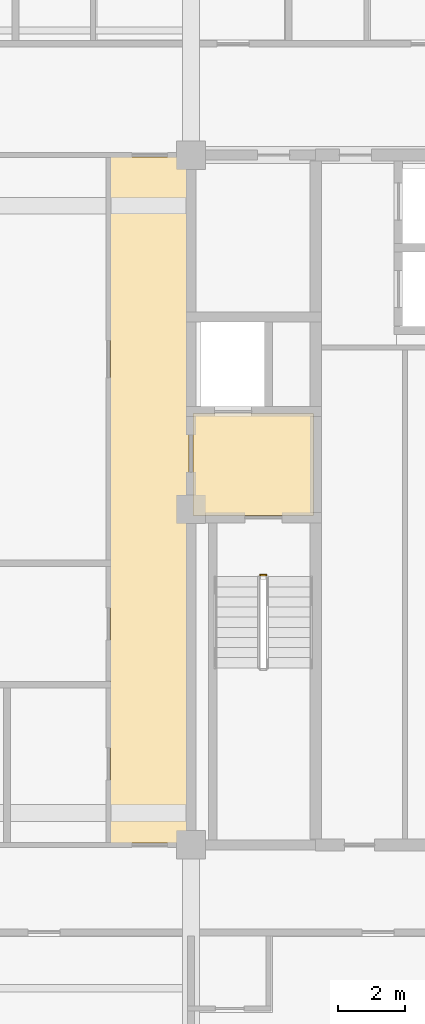
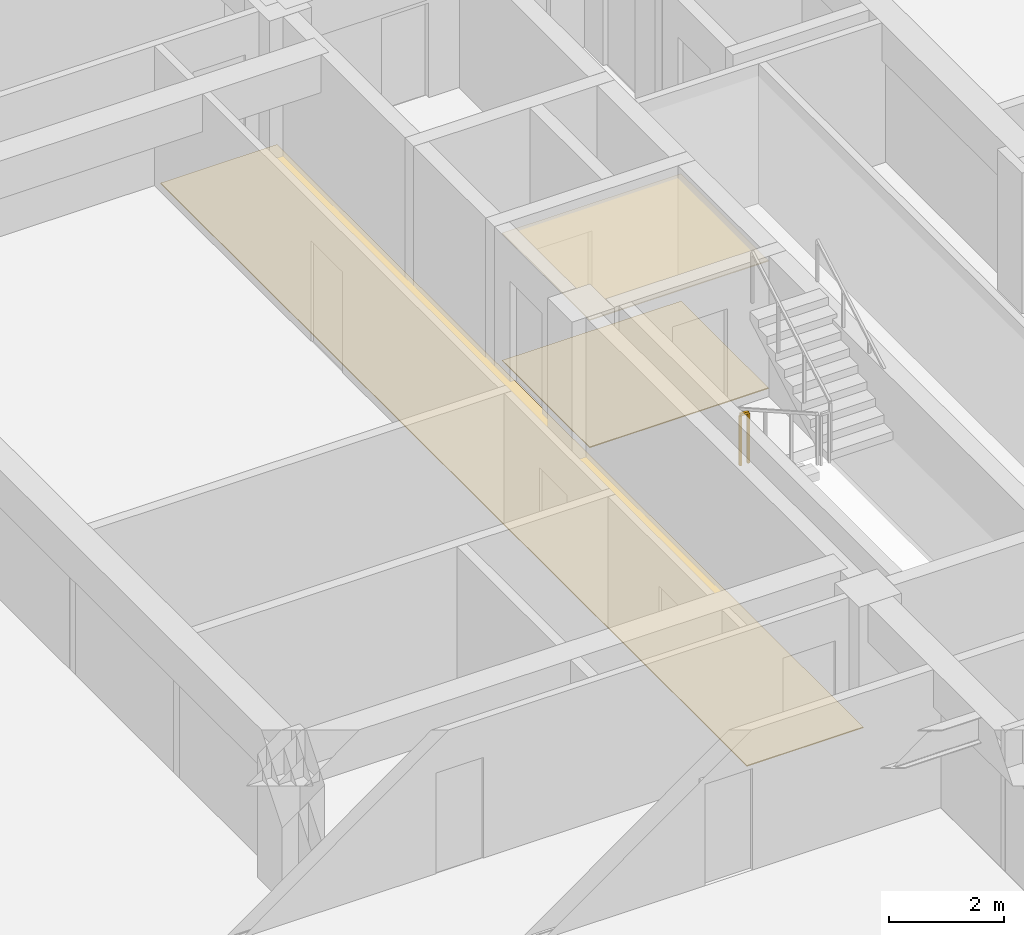
# One storey, part 12 of 13: 3 coverings, 1 railing.
"""IFC4 building model written with IfcOpenShell, lengths in metres."""

from ifc_helpers import new_model, si_unit, direction, frame, origin, origin_2d, place, context, subcontext, project, spatial, polyline, rectangle, outline, extrude, material, layer, layer_set, type_object, element, save


model = new_model("IFC4")

# Units and contexts
model_context = context("Model", 3, precision=1e-05, world=origin(), true_north=direction((0.0, 1.0)))
body_context = subcontext(model_context, "Body", "Model", "MODEL_VIEW")
ifc_project = project(units=[si_unit("LENGTHUNIT", "METRE"), si_unit("AREAUNIT", "SQUARE_METRE"), si_unit("VOLUMEUNIT", "CUBIC_METRE"), si_unit("PLANEANGLEUNIT", "RADIAN"), si_unit("MASSUNIT", "GRAM", prefix="KILO")], contexts=[model_context])

# Site, building, storey
site_placement = place(None, origin())
site = spatial("IfcSite", under=ifc_project, at=site_placement, CompositionType="ELEMENT")
building_placement = place(site_placement, origin())
building = spatial("IfcBuilding", under=site, at=building_placement, Name="Zulmaris Gate Convention Tower", CompositionType="ELEMENT")
storey_placement = place(building_placement, frame((0.0, 0.0, 183.059814453125)))
storey = spatial("IfcBuildingStorey", under=building, at=storey_placement, Name="L47", CompositionType="ELEMENT", Elevation=183.059814453125)

# Coverings
ifc_material_1 = material(Name="Mineral Fibre Acoustic Ceiling Tile")
ifc_layer_1 = layer(ifc_material_1, 0.02001953125, Name="Mineral Fibre Acoustic Ceiling Tile")
ifc_layer_set_1 = layer_set([ifc_layer_1], Name="Mineral Fibre Acoustic Ceiling Tile")
covering_type_1 = type_object("IfcCoveringType", Name="CLG-ACOUSTIC-600", PredefinedType="CEILING", material=ifc_layer_set_1)
covering_1_placement = place(storey_placement, frame((0.0, 0.0, 2.695068359375)))
element("IfcCovering", 1, at=covering_1_placement, inside=storey, type_object=covering_type_1, Name="CLG-L47-R08", PredefinedType="CEILING", context=body_context, shape_type="SweptSolid", body=[
    extrude(outline(polyline([(11.06005859375, -0.18994140625), (14.639892578125, -0.18994140625), (14.639892578125, 2.840087890625), (11.06005859375, 2.840087890625), (11.06005859375, -0.18994140625)])), origin(), (0.0, 0.0, 1.0), 0.02001953125),
])
ifc_material_2 = material(Name="Woven Acoustic Wool Carpet Tile")
ifc_layer_2 = layer(ifc_material_2, 0.02001953125, Name="Woven Acoustic Wool Carpet Tile")
ifc_layer_set_2 = layer_set([ifc_layer_2], Name="Woven Acoustic Wool Carpet Tile")
covering_type_2 = type_object("IfcCoveringType", Name="FLR-CARPET-12", PredefinedType="FLOORING", material=ifc_layer_set_2)
covering_2_placement = place(storey_placement, origin())
element("IfcCovering", 2, at=covering_2_placement, inside=storey, type_object=covering_type_2, Name="FLR-L47-R08", PredefinedType="FLOORING", context=body_context, shape_type="SweptSolid", body=[
    extrude(outline(polyline([(11.06005859375, -0.18994140625), (14.639892578125, -0.18994140625), (14.639892578125, 2.840087890625), (11.06005859375, 2.840087890625), (11.06005859375, -0.18994140625)])), origin(), (0.0, 0.0, 1.0), 0.02001953125),
])
covering_3_placement = place(storey_placement, origin())
element("IfcCovering", 3, at=covering_3_placement, inside=storey, type_object=covering_type_2, Name="FLR-L47-R31", PredefinedType="FLOORING", context=body_context, shape_type="SweptSolid", body=[
    extrude(outline(polyline([(8.610107421875, -9.889892578125), (10.93994140625, -9.889892578125), (10.93994140625, 10.43994140625), (8.610107421875, 10.43994140625), (8.610107421875, -9.889892578125)])), origin(), (0.0, 0.0, 1.0), 0.02001953125),
])

# Railing
ifc_material_3 = material(Name="Painted Galvanised Steel", Category="steel")
railing_type = type_object("IfcRailingType", Name="RL-STG-1150", PredefinedType="GUARDRAIL", material=ifc_material_3)
railing_placement = place(storey_placement, frame((13.06005859375, -1.949951171875, 0.0)))
element("IfcRailing", 4, at=railing_placement, inside=storey, type_object=railing_type, Name="L47 ST-2 stair guard 4", PredefinedType="GUARDRAIL", context=body_context, shape_type="SweptSolid", body=[
    extrude(rectangle(XDim=0.048095703125, YDim=0.048095703125, at=origin_2d()), frame((0.0, 0.0, 1.076171875), z_axis=(1.0, 0.0, 0.0), x_axis=(0.0, 1.0, 0.0)), (0.0, 0.0, 1.0), 0.159912109375),
    extrude(rectangle(XDim=0.0419921875, YDim=0.0419921875, at=origin_2d()), origin(), (0.0, 0.0, 1.0), 1.052001953125),
    extrude(rectangle(XDim=0.0419921875, YDim=0.0419921875, at=origin_2d()), frame((0.159912109375, 0.0, 0.0)), (0.0, 0.0, 1.0), 1.052001953125),
])

save(model, "model.ifc")
